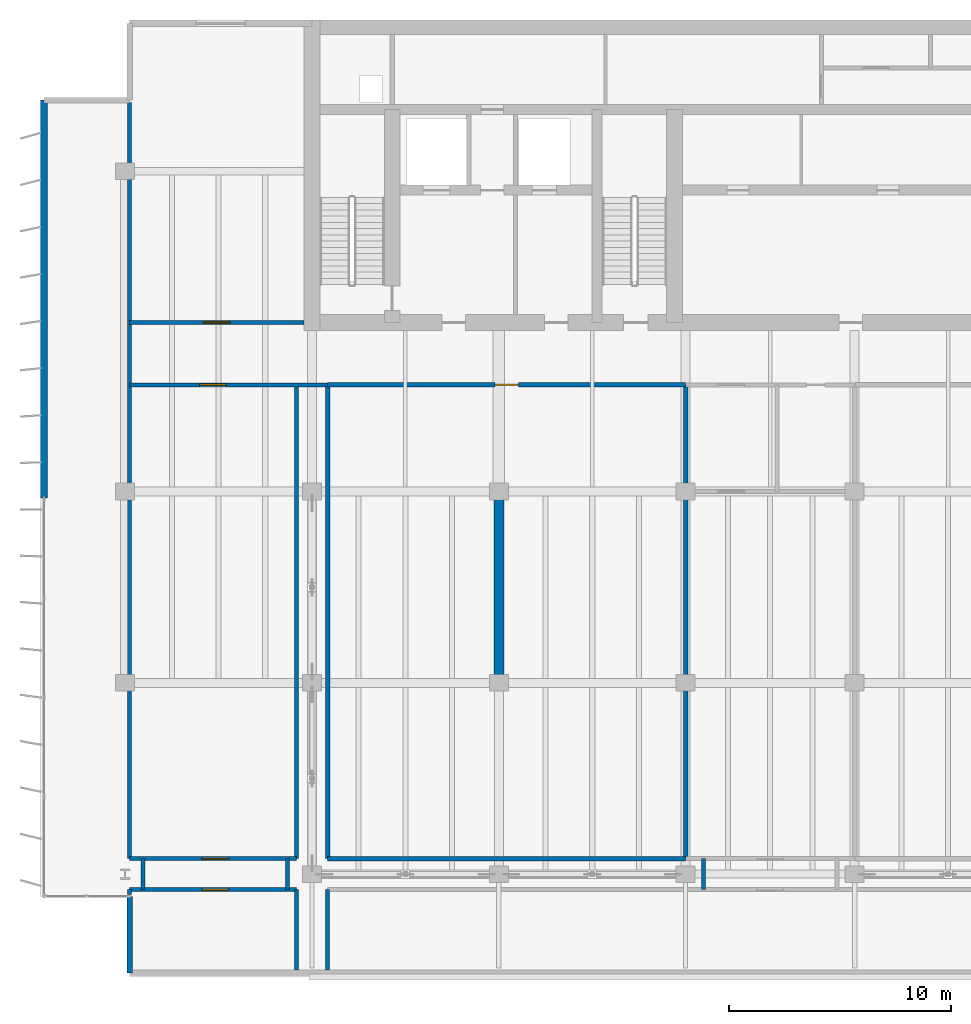
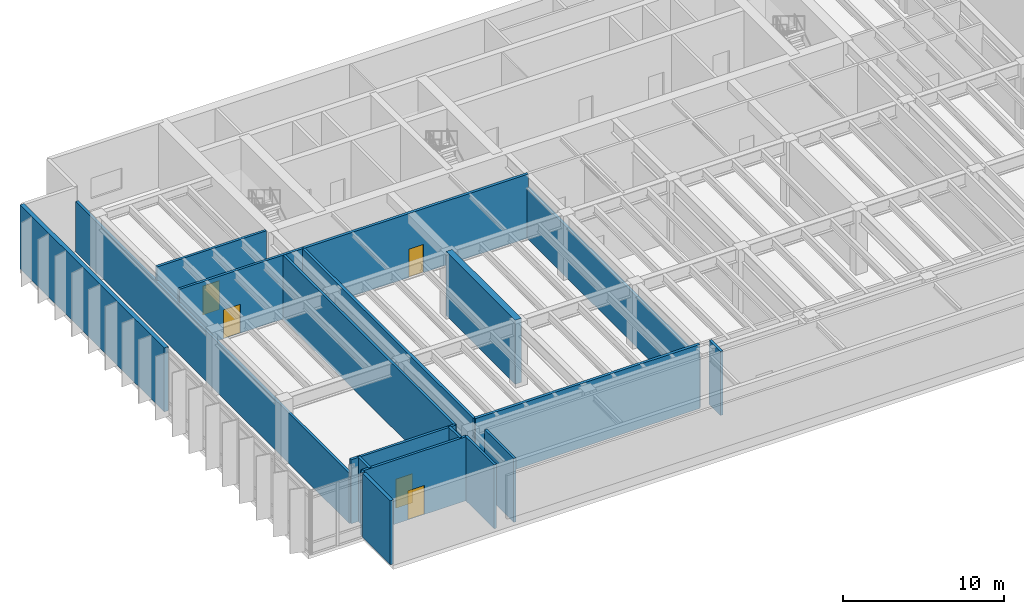
# One storey, part 14 of 23: 19 walls, 5 doors, 5 openings.
"""IFC4 building model written with IfcOpenShell, lengths in metres."""

import ifcopenshell
import ifcopenshell.guid

model = None  # the IFC model being written
_history = None  # IfcOwnerHistory: only IFC2X3 demands one
_inside = {}  # id of a spatial element -> (the spatial element, [elements in it])
_under = {}  # id of a project, library or spatial element -> (it, [spatial elements below it])
_declared = {}  # id of a project -> (the project, [libraries it declares])
_typed = {}  # id of a type object -> (the type object, [elements of that type])
_made_of = {}  # id of a material, layer set ... -> (it, [elements and type objects made of it])


def new_model(schema):
    """Start an empty IFC model of exactly this schema.

    Asked for "IFC4X3", IfcOpenShell would pick the latest addendum, in which some entities
    have other attributes; the version numbers below select the first issue.
    IFC2X3 requires an IfcOwnerHistory on every rooted entity: one is made here for all.
    """
    global model, _history
    if schema == "IFC4X3":
        model = ifcopenshell.file(schema_version=(4, 3, 0, 0))
    else:
        model = ifcopenshell.file(schema=schema)
    _inside.clear()
    _under.clear()
    _declared.clear()
    _typed.clear()
    _made_of.clear()
    _history = None
    if model.schema == "IFC2X3":
        org = make("IfcOrganization", Name="unknown")
        user = make(
            "IfcPersonAndOrganization",
            ThePerson=make("IfcPerson", FamilyName="unknown"),
            TheOrganization=org,
        )
        app = make(
            "IfcApplication",
            ApplicationDeveloper=org,
            Version="unknown",
            ApplicationFullName="unknown",
            ApplicationIdentifier="unknown",
        )
        _history = make(
            "IfcOwnerHistory",
            OwningUser=user,
            OwningApplication=app,
            ChangeAction="ADDED",
            CreationDate=0,
        )
    return model


def make(cls, **values):
    """One entity of the class cls with the attributes given. An attribute that is None is left unset."""
    return model.create_entity(
        cls, **{name: value for name, value in values.items() if value is not None}
    )


def rooted(cls, **values):
    """An entity with a GlobalId (a new one), such as an element, a storey or a relation."""
    return make(cls, GlobalId=ifcopenshell.guid.new(), OwnerHistory=_history, **values)


def si_unit(unit_type, name, prefix=None):
    """IfcSIUnit, for example si_unit("LENGTHUNIT", "METRE", prefix="MILLI")."""
    return make("IfcSIUnit", UnitType=unit_type, Prefix=prefix, Name=name)


def assignment(units):
    """IfcUnitAssignment: the units of a project."""
    return None if units is None else make("IfcUnitAssignment", Units=units)


def point(xyz):
    """IfcCartesianPoint."""
    return None if xyz is None else make("IfcCartesianPoint", Coordinates=xyz)


def direction(xyz):
    """IfcDirection."""
    return None if xyz is None else make("IfcDirection", DirectionRatios=xyz)


def frame(location, z_axis=None, x_axis=None):
    """IfcAxis2Placement3D, a coordinate frame: its origin and axes. An axis left out is left unset."""
    return make(
        "IfcAxis2Placement3D",
        Location=point(location),
        Axis=direction(z_axis),
        RefDirection=direction(x_axis),
    )


def frame_2d(location, x_axis=None):
    """IfcAxis2Placement2D, a coordinate frame in the plane: its origin and x axis."""
    return make(
        "IfcAxis2Placement2D", Location=point(location), RefDirection=direction(x_axis)
    )


def origin():
    """The frame at (0, 0, 0) with its axes left unset."""
    return frame((0.0, 0.0, 0.0))


def place(relative_to, where):
    """IfcLocalPlacement: puts the frame where relative to a parent placement (None: the world)."""
    return make(
        "IfcLocalPlacement", PlacementRelTo=relative_to, RelativePlacement=where
    )


def context(
    kind, dimensions, precision=None, world=None, true_north=None, identifier=None
):
    """IfcGeometricRepresentationContext, for example the 3D "Model" context."""
    return make(
        "IfcGeometricRepresentationContext",
        ContextIdentifier=identifier,
        ContextType=kind,
        CoordinateSpaceDimension=dimensions,
        Precision=precision,
        WorldCoordinateSystem=world,
        TrueNorth=true_north,
    )


def subcontext(parent, identifier, kind, view, scale=None):
    """IfcGeometricRepresentationSubContext, for example "Body" below "Model"."""
    return make(
        "IfcGeometricRepresentationSubContext",
        ContextIdentifier=identifier,
        ContextType=kind,
        ParentContext=parent,
        TargetScale=scale,
        TargetView=view,
    )


def project(units=None, contexts=None):
    """IfcProject with its units and contexts."""
    return rooted(
        "IfcProject",
        Name="project",
        RepresentationContexts=contexts,
        UnitsInContext=assignment(units),
    )


def spatial(cls, under=None, at=None, **own):
    """A site, building, storey or space (cls), placed at a placement, below another one or the project."""
    s = rooted(cls, ObjectPlacement=at, **own)
    if under is not None:
        _under.setdefault(under.id(), (under, []))[1].append(s)
    return s


def profile(cls, at=None, kind="AREA", **sizes):
    """A parametric profile (cls). Its sizes go by their IFC names, for example OverallWidth=200.0."""
    return make(cls, ProfileType=kind, Position=at, **sizes)


def rectangle(**sizes):
    """IfcRectangleProfileDef."""
    return profile("IfcRectangleProfileDef", **sizes)


def extrude(swept, where, along, depth):
    """IfcExtrudedAreaSolid: the profile swept, set in the frame where, extruded along a direction by depth."""
    return make(
        "IfcExtrudedAreaSolid",
        SweptArea=swept,
        Position=where,
        ExtrudedDirection=direction(along),
        Depth=depth,
    )


def shape(context_of_items, identifier, shape_type, items):
    """IfcShapeRepresentation: the items that make up one representation, for example the "Body"."""
    return make(
        "IfcShapeRepresentation",
        ContextOfItems=context_of_items,
        RepresentationIdentifier=identifier,
        RepresentationType=shape_type,
        Items=items,
    )


def material(Name=None, Category=None):
    """IfcMaterial."""
    return make("IfcMaterial", Name=Name, Category=Category)


def layer(
    of_material, thickness, ventilated=None, Name=None, Category=None, Priority=None
):
    """IfcMaterialLayer: one layer of a wall or slab, of a material (None: an air gap)."""
    return make(
        "IfcMaterialLayer",
        Material=of_material,
        LayerThickness=thickness,
        IsVentilated=ventilated,
        Name=Name,
        Category=Category,
        Priority=Priority,
    )


def layer_set(layers, Name=None):
    """IfcMaterialLayerSet."""
    return make("IfcMaterialLayerSet", MaterialLayers=layers, LayerSetName=Name)


def made_of(thing, what):
    """Note that an element or type object is made of a material, layer set ...; save() writes the relation."""
    if what is not None:
        _made_of.setdefault(what.id(), (what, []))[1].append(thing)
    return thing


def type_object(cls, material=None, **own):
    """A type object (cls), such as IfcWallType, which elements share."""
    return made_of(rooted(cls, **own), material)


def element(
    cls,
    number,
    at=None,
    inside=None,
    cuts=None,
    type_object=None,
    material=None,
    context=None,
    identifier="Body",
    shape_type=None,
    held_by="IfcProductDefinitionShape",
    body=None,
    shapes=None,
    **own,
):
    """One element of the class cls, such as IfcWall. Its Tag is "e" and its number.

    at: its placement. inside: the storey or other place that contains it. cuts: it is an
    opening in that element (IfcRelVoidsElement). A single representation is given by context,
    identifier, shape_type and body (its items); several are given by shapes. held_by: the class
    of the entity that holds the representations. save() writes the other relations.
    """
    e = rooted(cls, Tag="e%d" % number, ObjectPlacement=at, **own)
    if body is not None:
        shapes = [shape(context, identifier, shape_type, body)]
    if shapes is not None:
        e.Representation = make(held_by, Representations=shapes)
    if inside is not None:
        _inside.setdefault(inside.id(), (inside, []))[1].append(e)
    if cuts is not None:
        rooted(
            "IfcRelVoidsElement", RelatingBuildingElement=cuts, RelatedOpeningElement=e
        )
    if type_object is not None:
        _typed.setdefault(type_object.id(), (type_object, []))[1].append(e)
    return made_of(e, material)


def fill(opening, filler):
    """IfcRelFillsElement: the door or window that sits in an opening."""
    return rooted(
        "IfcRelFillsElement",
        RelatingOpeningElement=opening,
        RelatedBuildingElement=filler,
    )


def aggregate(whole, parts):
    """IfcRelAggregates: a whole, such as a stair, and the parts it consists of."""
    return rooted("IfcRelAggregates", RelatingObject=whole, RelatedObjects=parts)


def save(model, path):
    """Write the relations noted so far, then the file.

    IfcRelAggregates (storeys below a building ...), IfcRelContainedInSpatialStructure (elements
    in a storey), IfcRelDefinesByType, IfcRelAssociatesMaterial and IfcRelDeclares: one each for
    every whole, place, type object, material and project.
    """
    for whole, parts in _under.values():
        aggregate(whole, parts)
    for where, things in _inside.values():
        rooted(
            "IfcRelContainedInSpatialStructure",
            RelatedElements=things,
            RelatingStructure=where,
        )
    for kind, things in _typed.values():
        rooted("IfcRelDefinesByType", RelatedObjects=things, RelatingType=kind)
    for what, things in _made_of.values():
        rooted("IfcRelAssociatesMaterial", RelatedObjects=things, RelatingMaterial=what)
    for by, libraries in _declared.values():
        rooted("IfcRelDeclares", RelatingContext=by, RelatedDefinitions=libraries)
    model.write(path)


model = new_model("IFC4")

# Units and contexts
model_context = context("Model", 3, precision=1e-05, world=origin(), true_north=direction((0.0, 1.0)))
body_context = subcontext(model_context, "Body", "Model", "MODEL_VIEW")
ifc_project = project(units=[si_unit("LENGTHUNIT", "METRE"), si_unit("AREAUNIT", "SQUARE_METRE"), si_unit("VOLUMEUNIT", "CUBIC_METRE"), si_unit("PLANEANGLEUNIT", "RADIAN"), si_unit("MASSUNIT", "GRAM", prefix="KILO")], contexts=[model_context])

# Site, building, storey
site_placement = place(None, origin())
site = spatial("IfcSite", under=ifc_project, at=site_placement, CompositionType="ELEMENT")
building_placement = place(site_placement, origin())
building = spatial("IfcBuilding", under=site, at=building_placement, Name="Caelmar Bay Residences", CompositionType="ELEMENT")
storey_placement = place(building_placement, frame((0.0, 0.0, 221.39990234375)))
storey = spatial("IfcBuildingStorey", under=building, at=storey_placement, Name="L62", CompositionType="ELEMENT", Elevation=221.39990234375)

# Walls
ifc_material_1 = material(Name="Concrete f'c 55 MPa (8,000 psi)", Category="concrete")
ifc_layer_1 = layer(ifc_material_1, 0.449951171875)
ifc_layer_set_1 = layer_set([ifc_layer_1], Name="Concrete f'c 55 MPa (8,000 psi)")
wall_type_1 = type_object("IfcWallType", Name="SW-XSLB-450", PredefinedType="SHEAR", material=ifc_layer_set_1)
wall_1_placement = place(storey_placement, frame((26.699951171875, 20.800048828125, 0.0), z_axis=(0.0, 0.0, 1.0), x_axis=(0.0, 1.0, 0.0)))
element("IfcWall", 1, at=wall_1_placement, inside=storey, type_object=wall_type_1, Name="L62 Transverse Cross-Slab Shear Wall W5", PredefinedType="SHEAR", context=body_context, shape_type="SweptSolid", body=[
    extrude(rectangle(XDim=8.599853515625, YDim=0.449951171875, at=frame_2d((4.2998046875, 0.0))), origin(), (0.0, 0.0, 1.0), 4.85009765625),
])
ifc_material_2 = material(Name="Double-stud acoustic fire-rated gypsum partition 180 mm")
ifc_layer_2 = layer(ifc_material_2, 0.179931640625)
ifc_layer_set_2 = layer_set([ifc_layer_2], Name="Double-stud acoustic fire-rated gypsum partition 180 mm")
wall_type_2 = type_object("IfcWallType", Name="W-COR-200", PredefinedType="PARTITIONING", material=ifc_layer_set_2)
wall_2_placement = place(storey_placement, frame((10.10009765625, 11.284912109375, 0.0), z_axis=(0.0, 0.0, 1.0), x_axis=(0.0, 1.0, 0.0)))
element("IfcWall", 2, at=wall_2_placement, inside=storey, type_object=wall_type_2, Name="L62 Partition Wall V001", PredefinedType="PARTITIONING", context=body_context, shape_type="SweptSolid", body=[
    extrude(rectangle(XDim=0.215087890625, YDim=0.179931640625, at=frame_2d((0.107421875, 0.0))), origin(), (0.0, 0.0, 1.0), 4.85009765625),
])
wall_3_placement = place(storey_placement, frame((10.10009765625, 12.89990234375, 0.0), z_axis=(0.0, 0.0, 1.0), x_axis=(0.0, 1.0, 0.0)))
element("IfcWall", 3, at=wall_3_placement, inside=storey, type_object=wall_type_2, Name="L62 Partition Wall V002", PredefinedType="PARTITIONING", context=body_context, shape_type="SweptSolid", body=[
    extrude(rectangle(XDim=33.97998046875, YDim=0.179931640625, at=frame_2d((16.989990234375, 0.0))), origin(), (0.0, 0.0, 1.0), 3.814208984375),
])
for number, where, z_axis, x_axis, name in (
    (4, (10.699951171875, 11.5, 0.0), (0.0, 0.0, 1.0), (0.0, 1.0, 0.0), "L62 Partition Wall V003"),
    (5, (17.199951171875, 11.5, 0.0), (0.0, 0.0, 1.0), (0.0, 1.0, 0.0), "L62 Partition Wall V004"),
):
    element("IfcWall", number, at=place(storey_placement, frame(where, z_axis=z_axis, x_axis=x_axis)), inside=storey, type_object=wall_type_2, Name=name, PredefinedType="PARTITIONING", context=body_context, shape_type="SweptSolid", body=[
        extrude(rectangle(XDim=1.39990234375, YDim=0.179931640625, at=frame_2d((0.699951171875, 0.0))), origin(), (0.0, 0.0, 1.0), 4.85009765625),
    ])
wall_4_placement = place(storey_placement, frame((17.60009765625, 7.89501953125, 0.0), z_axis=(0.0, 0.0, 1.0), x_axis=(0.0, 1.0, 0.0)))
element("IfcWall", 6, at=wall_4_placement, inside=storey, type_object=wall_type_2, Name="L62 Partition Wall V005", PredefinedType="PARTITIONING", context=body_context, shape_type="SweptSolid", body=[
    extrude(rectangle(XDim=3.60498046875, YDim=0.179931640625, at=frame_2d((1.802490234375, 0.0))), origin(), (0.0, 0.0, 1.0), 4.85009765625),
])
wall_5_placement = place(storey_placement, frame((17.60009765625, 12.89990234375, 0.0), z_axis=(0.0, 0.0, 1.0), x_axis=(0.0, 1.0, 0.0)))
element("IfcWall", 7, at=wall_5_placement, inside=storey, type_object=wall_type_2, Name="L62 Partition Wall V006", PredefinedType="PARTITIONING", context=body_context, shape_type="SweptSolid", body=[
    extrude(rectangle(XDim=21.300048828125, YDim=0.179931640625, at=frame_2d((10.64990234375, 0.0))), origin(), (0.0, 0.0, 1.0), 4.85009765625),
])
wall_6_placement = place(storey_placement, frame((19.0, 7.89501953125, 0.0), z_axis=(0.0, 0.0, 1.0), x_axis=(0.0, 1.0, 0.0)))
element("IfcWall", 8, at=wall_6_placement, inside=storey, type_object=wall_type_2, Name="L62 Partition Wall V007", PredefinedType="PARTITIONING", context=body_context, shape_type="SweptSolid", body=[
    extrude(rectangle(XDim=3.60498046875, YDim=0.179931640625, at=frame_2d((1.802490234375, 0.0))), origin(), (0.0, 0.0, 1.0), 4.85009765625),
])
wall_7_placement = place(storey_placement, frame((35.89990234375, 11.5, 0.0), z_axis=(0.0, 0.0, 1.0), x_axis=(0.0, 1.0, 0.0)))
element("IfcWall", 9, at=wall_7_placement, inside=storey, type_object=wall_type_2, Name="L62 Partition Wall V015", PredefinedType="PARTITIONING", context=body_context, shape_type="SweptSolid", body=[
    extrude(rectangle(XDim=1.39990234375, YDim=0.179931640625, at=frame_2d((0.699951171875, 0.0))), origin(), (0.0, 0.0, 1.0), 4.85009765625),
])

# Wall, opening, door
wall_8_placement = place(storey_placement, frame((10.10009765625, 11.5, 0.0), z_axis=(0.0, 0.0, 1.0), x_axis=(1.0, 0.0, 0.0)))
wall_8 = element("IfcWall", 10, at=wall_8_placement, inside=storey, type_object=wall_type_2, Name="L62 Partition Wall H036", PredefinedType="PARTITIONING", context=body_context, shape_type="SweptSolid", body=[
    extrude(rectangle(XDim=7.5, YDim=0.179931640625, at=frame_2d((3.75, 0.0))), origin(), (0.0, 0.0, 1.0), 4.85009765625),
])
opening_1_placement = place(wall_8_placement, frame((3.25, 0.0, 0.0)))
opening_1 = element("IfcOpeningElement", 11, at=opening_1_placement, cuts=wall_8, Name="Opening D-L62-134", PredefinedType="OPENING", context=body_context, shape_type="SweptSolid", body=[
    extrude(rectangle(XDim=1.199951171875, YDim=2.199951171875, at=frame_2d((0.60009765625, 1.10009765625))), frame((0.0, 0.099853515625, 0.0), z_axis=(0.0, -1.0, 0.0), x_axis=(1.0, 0.0, 0.0)), (0.0, 0.0, 1.0), 0.199951171875),
])
ifc_material_3 = material(Name="Fire-rated steel and walnut architectural door assembly", Category="steel")
ifc_layer_3 = layer(ifc_material_3, 0.050048828125)
ifc_layer_set_3 = layer_set([ifc_layer_3], Name="Fire-rated steel and walnut architectural door assembly")
door_type_1 = type_object("IfcDoorType", Name="D-PLANT-1200", OperationType="NOTDEFINED", PredefinedType="DOOR", material=ifc_layer_set_3)
door_1_placement = place(opening_1_placement, origin())
door_1 = element("IfcDoor", 12, at=door_1_placement, inside=storey, type_object=door_type_1, Name="L62 West Intake Plenum Plant Room L62 Door", OperationType="SINGLE_SWING_LEFT", OverallHeight=2.199951171875, OverallWidth=1.199951171875, PredefinedType="DOOR", context=body_context, shape_type="SweptSolid", body=[
    extrude(rectangle(XDim=1.199951171875, YDim=2.199951171875, at=frame_2d((0.60009765625, 1.10009765625))), frame((0.0, 0.02490234375, 0.0), z_axis=(0.0, -1.0, 0.0), x_axis=(1.0, 0.0, 0.0)), (0.0, 0.0, 1.0), 0.050048828125),
])
fill(opening_1, door_1)

wall_9_placement = place(storey_placement, frame((10.10009765625, 12.89990234375, 0.0), z_axis=(0.0, 0.0, 1.0), x_axis=(1.0, 0.0, 0.0)))
wall_9 = element("IfcWall", 13, at=wall_9_placement, inside=storey, type_object=wall_type_2, Name="L62 Partition Wall H039", PredefinedType="PARTITIONING", context=body_context, shape_type="SweptSolid", body=[
    extrude(rectangle(XDim=7.5, YDim=0.179931640625, at=frame_2d((3.75, 0.0))), origin(), (0.0, 0.0, 1.0), 4.85009765625),
])
opening_2_placement = place(wall_9_placement, frame((3.25, 0.0, 0.0)))
opening_2 = element("IfcOpeningElement", 14, at=opening_2_placement, cuts=wall_9, Name="Opening D-L62-133", PredefinedType="OPENING", context=body_context, shape_type="SweptSolid", body=[
    extrude(rectangle(XDim=1.199951171875, YDim=2.199951171875, at=frame_2d((0.60009765625, 1.10009765625))), frame((0.0, 0.099853515625, 0.0), z_axis=(0.0, -1.0, 0.0), x_axis=(1.0, 0.0, 0.0)), (0.0, 0.0, 1.0), 0.199951171875),
])
door_2_placement = place(opening_2_placement, origin())
door_2 = element("IfcDoor", 15, at=door_2_placement, inside=storey, type_object=door_type_1, Name="L62 West Intake Duct Plant Room L62 Door", OperationType="SINGLE_SWING_RIGHT", OverallHeight=2.199951171875, OverallWidth=1.199951171875, PredefinedType="DOOR", context=body_context, shape_type="SweptSolid", body=[
    extrude(rectangle(XDim=1.199951171875, YDim=2.199951171875, at=frame_2d((0.60009765625, 1.10009765625))), frame((0.0, 0.02490234375, 0.0), z_axis=(0.0, -1.0, 0.0), x_axis=(1.0, 0.0, 0.0)), (0.0, 0.0, 1.0), 0.050048828125),
])
fill(opening_2, door_2)

wall_10_placement = place(storey_placement, frame((10.10009765625, 34.199951171875, 0.0), z_axis=(0.0, 0.0, 1.0), x_axis=(1.0, 0.0, 0.0)))
wall_10 = element("IfcWall", 16, at=wall_10_placement, inside=storey, type_object=wall_type_2, Name="L62 Partition Wall H045", PredefinedType="PARTITIONING", context=body_context, shape_type="SweptSolid", body=[
    extrude(rectangle(XDim=8.89990234375, YDim=0.179931640625, at=frame_2d((4.449951171875, 0.0))), origin(), (0.0, 0.0, 1.0), 4.85009765625),
])
opening_3_placement = place(wall_10_placement, frame((3.14990234375, 0.0, 0.0)))
opening_3 = element("IfcOpeningElement", 17, at=opening_3_placement, cuts=wall_10, Name="Opening D-L62-122", PredefinedType="OPENING", context=body_context, shape_type="SweptSolid", body=[
    extrude(rectangle(XDim=1.199951171875, YDim=2.199951171875, at=frame_2d((0.60009765625, 1.10009765625))), frame((0.0, 0.099853515625, 0.0), z_axis=(0.0, -1.0, 0.0), x_axis=(1.0, 0.0, 0.0)), (0.0, 0.0, 1.0), 0.199951171875),
])
door_3_placement = place(opening_3_placement, origin())
door_3 = element("IfcDoor", 18, at=door_3_placement, inside=storey, type_object=door_type_1, Name="L62 DOAS Air Handling Plant Room L62 Door", OperationType="SINGLE_SWING_LEFT", OverallHeight=2.199951171875, OverallWidth=1.199951171875, PredefinedType="DOOR", context=body_context, shape_type="SweptSolid", body=[
    extrude(rectangle(XDim=1.199951171875, YDim=2.199951171875, at=frame_2d((0.60009765625, 1.10009765625))), frame((0.0, 0.02490234375, 0.0), z_axis=(0.0, -1.0, 0.0), x_axis=(1.0, 0.0, 0.0)), (0.0, 0.0, 1.0), 0.050048828125),
])
fill(opening_3, door_3)

wall_11_placement = place(storey_placement, frame((10.10009765625, 37.0, 0.0), z_axis=(0.0, 0.0, 1.0), x_axis=(1.0, 0.0, 0.0)))
wall_11 = element("IfcWall", 19, at=wall_11_placement, inside=storey, type_object=wall_type_2, Name="L62 Partition Wall H050", PredefinedType="PARTITIONING", context=body_context, shape_type="SweptSolid", body=[
    extrude(rectangle(XDim=7.844970703125, YDim=0.179931640625, at=frame_2d((3.92236328125, 0.0))), origin(), (0.0, 0.0, 1.0), 4.85009765625),
])
opening_4_placement = place(wall_11_placement, frame((3.322509765625, 0.0, 0.0)))
opening_4 = element("IfcOpeningElement", 20, at=opening_4_placement, cuts=wall_11, Name="Opening D-L62-128", PredefinedType="OPENING", context=body_context, shape_type="SweptSolid", body=[
    extrude(rectangle(XDim=1.199951171875, YDim=2.199951171875, at=frame_2d((0.60009765625, 1.10009765625))), frame((0.0, 0.099853515625, 0.0), z_axis=(0.0, -1.0, 0.0), x_axis=(1.0, 0.0, 0.0)), (0.0, 0.0, 1.0), 0.199951171875),
])
door_4_placement = place(opening_4_placement, origin())
door_4 = element("IfcDoor", 21, at=door_4_placement, inside=storey, type_object=door_type_1, Name="L62 North Exhaust Plant Room L62 Door", OperationType="SINGLE_SWING_LEFT", OverallHeight=2.199951171875, OverallWidth=1.199951171875, PredefinedType="DOOR", context=body_context, shape_type="SweptSolid", body=[
    extrude(rectangle(XDim=1.199951171875, YDim=2.199951171875, at=frame_2d((0.60009765625, 1.10009765625))), frame((0.0, 0.02490234375, 0.0), z_axis=(0.0, -1.0, 0.0), x_axis=(1.0, 0.0, 0.0)), (0.0, 0.0, 1.0), 0.050048828125),
])
fill(opening_4, door_4)

# Walls
ifc_material_4 = material(Name="Precast concrete f'c 40 MPa (6,000 psi)", Category="concrete")
ifc_layer_4 = layer(ifc_material_4, 0.25)
ifc_layer_set_4 = layer_set([ifc_layer_4], Name="Precast concrete f'c 40 MPa (6,000 psi)")
wall_type_3 = type_object("IfcWallType", Name="W-EXT-250", PredefinedType="ELEMENTEDWALL", material=ifc_layer_set_4)
wall_12_placement = place(storey_placement, frame((10.10009765625, 11.199951171875, 0.0), z_axis=(0.0, 0.0, 1.0), x_axis=(0.0, -1.0, 0.0)))
element("IfcWall", 22, at=wall_12_placement, inside=storey, type_object=wall_type_3, Name="L62 SW Notch Return Wall", PredefinedType="ELEMENTEDWALL", context=body_context, shape_type="SweptSolid", body=[
    extrude(rectangle(XDim=3.449951171875, YDim=0.25, at=frame_2d((1.72509765625, 0.0))), origin(), (0.0, 0.0, 1.0), 4.85009765625),
])
ifc_layer_5 = layer(ifc_material_4, 0.300048828125)
ifc_layer_set_5 = layer_set([ifc_layer_5], Name="Precast concrete f'c 40 MPa (6,000 psi)")
wall_type_4 = type_object("IfcWallType", Name="W-EXT-300", PredefinedType="STANDARD", material=ifc_layer_set_5)
wall_13_placement = place(storey_placement, frame((6.25, 29.10009765625, 0.0), z_axis=(0.0, 0.0, 1.0), x_axis=(0.0, 1.0, 0.0)))
element("IfcWall", 23, at=wall_13_placement, inside=storey, type_object=wall_type_4, Name="L62 West Rear Exterior Wall", PredefinedType="STANDARD", context=body_context, shape_type="SweptSolid", body=[
    extrude(rectangle(XDim=17.89990234375, YDim=0.300048828125, at=frame_2d((8.949951171875, 0.0))), origin(), (0.0, 0.0, 1.0), 4.85009765625),
])
ifc_material_5 = material(Name="Fire-rated masonry and gypsum shaftliner assembly 200 mm", Category="masonry")
ifc_layer_6 = layer(ifc_material_5, 0.199951171875)
ifc_layer_set_6 = layer_set([ifc_layer_6], Name="Fire-rated masonry and gypsum shaftliner assembly 200 mm")
wall_type_5 = type_object("IfcWallType", Name="W-FSAE-200", PredefinedType="PARTITIONING", material=ifc_layer_set_6)
wall_14_placement = place(storey_placement, frame((19.0, 12.89990234375, 0.0), z_axis=(0.0, 0.0, 1.0), x_axis=(0.0, 1.0, 0.0)))
element("IfcWall", 24, at=wall_14_placement, inside=storey, type_object=wall_type_5, Name="L62 Partition Wall V008", PredefinedType="PARTITIONING", context=body_context, shape_type="SweptSolid", body=[
    extrude(rectangle(XDim=21.300048828125, YDim=0.199951171875, at=frame_2d((10.64990234375, 0.0))), origin(), (0.0, 0.0, 1.0), 4.85009765625),
])
wall_15_placement = place(storey_placement, frame((35.10009765625, 12.89990234375, 0.0), z_axis=(0.0, 0.0, 1.0), x_axis=(0.0, 1.0, 0.0)))
element("IfcWall", 25, at=wall_15_placement, inside=storey, type_object=wall_type_5, Name="L62 Partition Wall V014", PredefinedType="PARTITIONING", context=body_context, shape_type="SweptSolid", body=[
    extrude(rectangle(XDim=21.300048828125, YDim=0.199951171875, at=frame_2d((10.64990234375, 0.0))), origin(), (0.0, 0.0, 1.0), 3.814208984375),
])
wall_16_placement = place(storey_placement, frame((19.0, 12.89990234375, 0.0), z_axis=(0.0, 0.0, 1.0), x_axis=(1.0, 0.0, 0.0)))
element("IfcWall", 26, at=wall_16_placement, inside=storey, type_object=wall_type_5, Name="L62 Partition Wall H040", PredefinedType="PARTITIONING", context=body_context, shape_type="SweptSolid", body=[
    extrude(rectangle(XDim=16.10009765625, YDim=0.199951171875, at=frame_2d((8.050048828125, 0.0))), origin(), (0.0, 0.0, 1.0), 4.85009765625),
])

# Wall, opening, door
wall_17_placement = place(storey_placement, frame((19.0048828125, 34.199951171875, 0.0), z_axis=(0.0, 0.0, 1.0), x_axis=(1.0, 0.0, 0.0)))
wall_17 = element("IfcWall", 27, at=wall_17_placement, inside=storey, type_object=wall_type_5, Name="L62 Partition Wall H046", PredefinedType="PARTITIONING", context=body_context, shape_type="SweptSolid", body=[
    extrude(rectangle(XDim=16.09521484375, YDim=0.199951171875, at=frame_2d((8.047607421875, 0.0))), origin(), (0.0, 0.0, 1.0), 4.85009765625),
])
opening_5_placement = place(wall_17_placement, frame((7.5224609375, 0.0, 0.0)))
opening_5 = element("IfcOpeningElement", 28, at=opening_5_placement, cuts=wall_17, Name="Opening D-L62-123", PredefinedType="OPENING", context=body_context, shape_type="SweptSolid", body=[
    extrude(rectangle(XDim=1.050048828125, YDim=2.14990234375, at=frame_2d((0.52490234375, 1.074951171875))), frame((0.0, 0.10986328125, 0.0), z_axis=(0.0, -1.0, 0.0), x_axis=(1.0, 0.0, 0.0)), (0.0, 0.0, 1.0), 0.219970703125),
])
ifc_layer_7 = layer(ifc_material_3, 0.050048828125)
ifc_layer_set_7 = layer_set([ifc_layer_7], Name="Fire-rated steel and walnut architectural door assembly")
door_type_2 = type_object("IfcDoorType", Name="D-FSAE-1050", OperationType="NOTDEFINED", PredefinedType="DOOR", material=ifc_layer_set_7)
door_5_placement = place(opening_5_placement, origin())
door_5 = element("IfcDoor", 29, at=door_5_placement, inside=storey, type_object=door_type_2, Name="L62 West Area of Refuge L62 Door", OperationType="SINGLE_SWING_RIGHT", OverallHeight=2.14990234375, OverallWidth=1.050048828125, PredefinedType="DOOR", context=body_context, shape_type="SweptSolid", body=[
    extrude(rectangle(XDim=1.050048828125, YDim=2.14990234375, at=frame_2d((0.52490234375, 1.074951171875))), frame((0.0, 0.02490234375, 0.0), z_axis=(0.0, -1.0, 0.0), x_axis=(1.0, 0.0, 0.0)), (0.0, 0.0, 1.0), 0.050048828125),
])
fill(opening_5, door_5)

save(model, "model.ifc")
